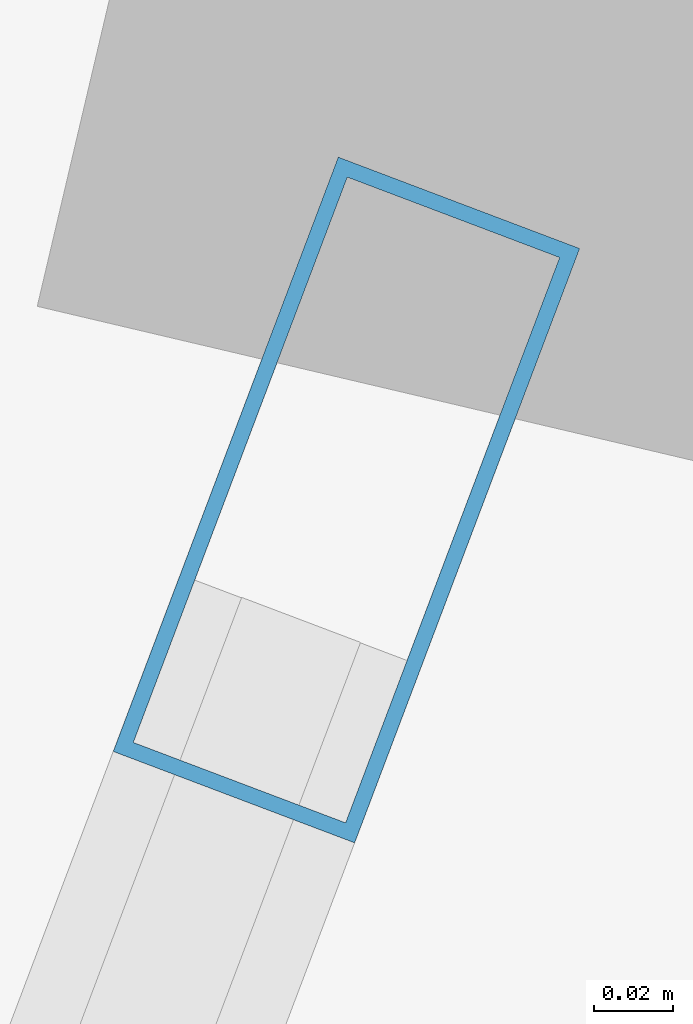
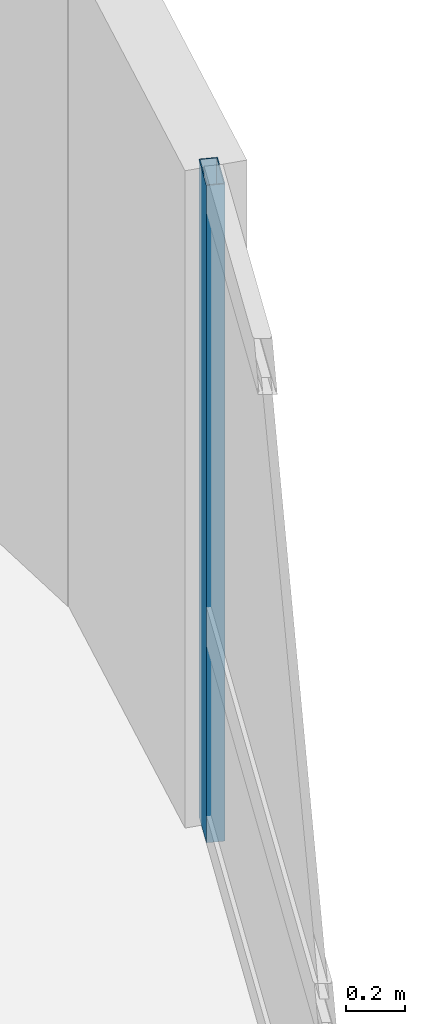
# One storey, part 16 of 25: 1 member, 1 element without a shape of its own.
"""IFC4 building model written with IfcOpenShell, lengths in metres."""

from ifc_helpers import new_model, si_unit, direction, frame, origin, origin_2d, place, context, subcontext, project, spatial, hollow_rectangle, extrude, material, layer, layer_set, material_profile, profile_set, type_object, element, aggregate, save


model = new_model("IFC4")

# Units and contexts
model_context = context("Model", 3, precision=1e-05, world=origin(), true_north=direction((0.0, 1.0)))
body_context = subcontext(model_context, "Body", "Model", "MODEL_VIEW")
ifc_project = project(units=[si_unit("LENGTHUNIT", "METRE"), si_unit("AREAUNIT", "SQUARE_METRE"), si_unit("VOLUMEUNIT", "CUBIC_METRE"), si_unit("PLANEANGLEUNIT", "RADIAN"), si_unit("MASSUNIT", "GRAM", prefix="KILO")], contexts=[model_context])

# Site, building, storey
site_placement = place(None, origin())
site = spatial("IfcSite", under=ifc_project, at=site_placement, CompositionType="ELEMENT")
building_placement = place(site_placement, origin())
building = spatial("IfcBuilding", under=site, at=building_placement, Name="Varnelok Gate Tower", CompositionType="ELEMENT")
storey_placement = place(building_placement, frame((0.0, 0.0, 105.800048828125)))
storey = spatial("IfcBuildingStorey", under=building, at=storey_placement, Name="L26", CompositionType="ELEMENT", Elevation=105.800048828125)

# Curtain wall, member
ifc_material = material(Name="Anodized Aluminum Alloy 6063-T6", Category="aluminium")
ifc_layer = layer(ifc_material, 0.179931640625)
ifc_layer_set = layer_set([ifc_layer], Name="Anodized Aluminum Alloy 6063-T6")
curtain_wall_type = type_object("IfcCurtainWallType", Name="CW3-HOTEL-VISION", PredefinedType="USERDEFINED", material=ifc_layer_set)
curtain_wall_placement = place(storey_placement, origin())
curtain_wall = element("IfcCurtainWall", 1, at=curtain_wall_placement, inside=storey, type_object=curtain_wall_type, Name="L26 East End Vision Curtain Wall", ObjectType="UNITISED CURTAIN WALL", PredefinedType="USERDEFINED")
ifc_material_profile = material_profile(ifc_material, hollow_rectangle(XDim=0.06494140625, YDim=0.159912109375, WallThickness=0.00390625, at=origin_2d()), Name="ALU160X65X4")
ifc_profile_set = profile_set([ifc_material_profile], Name="Anodized Aluminum Alloy 6063-T6")
member_type = type_object("IfcMemberType", Name="CW-MULL-160", PredefinedType="MULLION", material=ifc_profile_set)
member_placement = place(storey_placement, frame((80.443359375, 29.004638671875, 0.0), z_axis=(0.0, 0.0, 1.0), x_axis=(0.935221323688, -0.354063660545, 0.0)))
member = element("IfcMember", 2, at=member_placement, type_object=member_type, Name="CW3 mullion 1", PredefinedType="MULLION", context=body_context, shape_type="SweptSolid", body=[
    extrude(hollow_rectangle(XDim=0.06494140625, YDim=0.159912109375, WallThickness=0.00390625, at=origin_2d()), origin(), (0.0, 0.0, 1.0), 2.72998046875),
])
aggregate(curtain_wall, [member])

save(model, "model.ifc")
